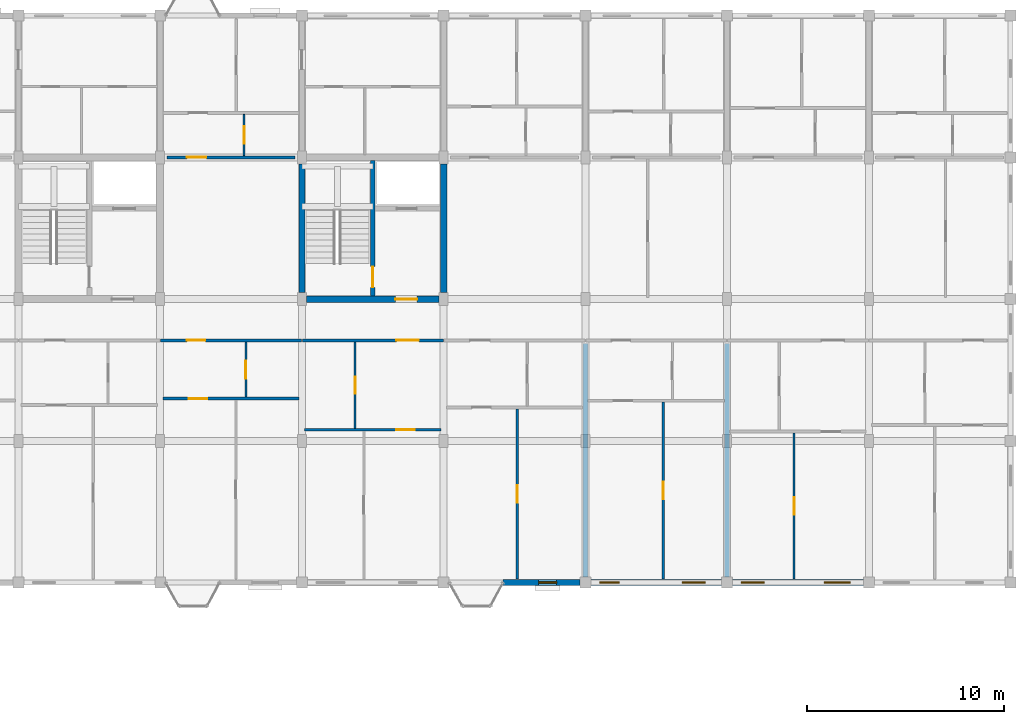
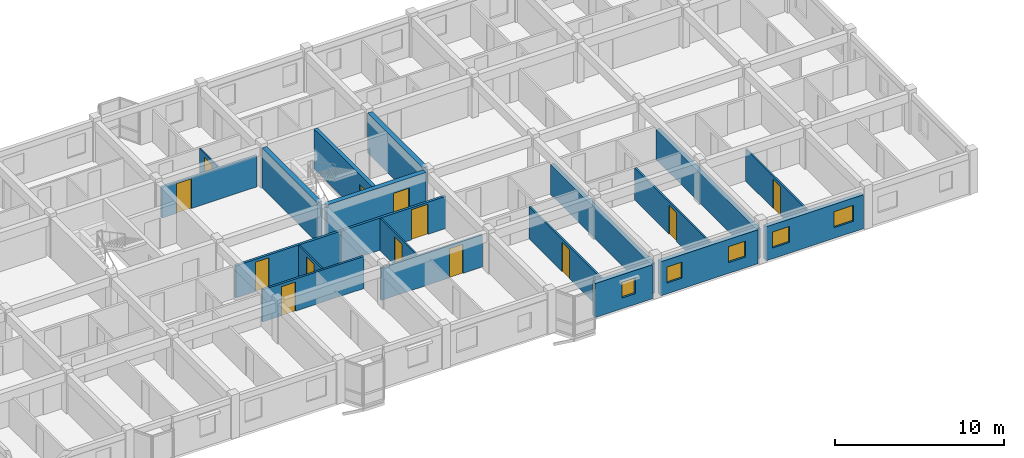
# One storey, part 67 of 77: 20 walls, 13 doors, 5 windows, 18 openings.
"""IFC4 building model written with IfcOpenShell, lengths in metres."""

from ifc_helpers import new_model, si_unit, direction, frame, frame_2d, origin, place, context, subcontext, project, spatial, rectangle, extrude, material, layer, layer_set, type_object, element, fill, save


model = new_model("IFC4")

# Units and contexts
model_context = context("Model", 3, precision=1e-05, world=origin(), true_north=direction((0.0, 1.0)))
body_context = subcontext(model_context, "Body", "Model", "MODEL_VIEW")
ifc_project = project(units=[si_unit("LENGTHUNIT", "METRE"), si_unit("AREAUNIT", "SQUARE_METRE"), si_unit("VOLUMEUNIT", "CUBIC_METRE"), si_unit("PLANEANGLEUNIT", "RADIAN"), si_unit("MASSUNIT", "GRAM", prefix="KILO"), si_unit("THERMODYNAMICTEMPERATUREUNIT", "KELVIN"), si_unit("POWERUNIT", "WATT")], contexts=[model_context])

# Site, building, storey
site_placement = place(None, origin())
site = spatial("IfcSite", under=ifc_project, at=site_placement, CompositionType="ELEMENT")
building_placement = place(site_placement, origin())
building = spatial("IfcBuilding", under=site, at=building_placement, Name="Tavuni Mirador Residences", CompositionType="ELEMENT")
storey_placement = place(building_placement, frame((0.0, 0.0, 10.800048828125)))
storey = spatial("IfcBuildingStorey", under=building, at=storey_placement, Name="L03", CompositionType="ELEMENT", Elevation=10.800048828125)

# Wall, opening, door
ifc_material_1 = material(Name="Precast concrete C40/50", Category="concrete")
ifc_layer_1 = layer(ifc_material_1, 0.25, Name="Precast concrete C40/50", Category="concrete")
ifc_layer_set_1 = layer_set([ifc_layer_1], Name="Precast concrete C40/50")
wall_type_1 = type_object("IfcWallType", Name="WT-COR250", PredefinedType="SHEAR", material=ifc_layer_set_1)
wall_1_placement = place(storey_placement, frame((43.199951171875, 158.56005859375, 0.0), z_axis=(0.0, 0.0, 1.0), x_axis=(0.0, 1.0, 0.0)))
wall_1 = element("IfcWall", 1, at=wall_1_placement, inside=storey, type_object=wall_type_1, Name="CWALL-C6-L03-MID", PredefinedType="SHEAR", context=body_context, shape_type="SweptSolid", body=[
    extrude(rectangle(XDim=6.8798828125, YDim=0.25, at=frame_2d((3.43994140625, 0.0))), origin(), (0.0, 0.0, 1.0), 2.885009765625),
])
opening_1_placement = place(wall_1_placement, frame((0.43994140625, 0.0, 0.0)))
opening_1 = element("IfcOpeningElement", 2, at=opening_1_placement, cuts=wall_1, Name="Opening D-01", PredefinedType="OPENING", context=body_context, shape_type="SweptSolid", body=[
    extrude(rectangle(XDim=1.050048828125, YDim=2.14990234375, at=frame_2d((0.52490234375, 1.074951171875))), frame((0.0, 0.135009765625, 0.0), z_axis=(0.0, -1.0, 0.0), x_axis=(1.0, 0.0, 0.0)), (0.0, 0.0, 1.0), 0.27001953125),
])
ifc_material_2 = material(Name="Solid core iroko timber", Category="wood")
door_type_1 = type_object("IfcDoorType", Name="DT-ST1050", OperationType="NOTDEFINED", PredefinedType="DOOR", material=ifc_material_2)
door_1_placement = place(opening_1_placement, origin())
door_1 = element("IfcDoor", 3, at=door_1_placement, inside=storey, type_object=door_type_1, Name="DR-2229", OperationType="SINGLE_SWING_LEFT", OverallHeight=2.14990234375, OverallWidth=1.050048828125, PredefinedType="DOOR", context=body_context, shape_type="SweptSolid", body=[
    extrude(rectangle(XDim=1.050048828125, YDim=2.14990234375, at=frame_2d((0.52490234375, 1.074951171875))), frame((0.0, 0.02490234375, 0.0), z_axis=(0.0, -1.0, 0.0), x_axis=(1.0, 0.0, 0.0)), (0.0, 0.0, 1.0), 0.050048828125),
])
fill(opening_1, door_1)

# Walls
ifc_layer_2 = layer(ifc_material_1, 0.320068359375, Name="Precast concrete C40/50", Category="concrete")
ifc_layer_set_2 = layer_set([ifc_layer_2], Name="Precast concrete C40/50")
wall_type_2 = type_object("IfcWallType", Name="WT-COR320", PredefinedType="SHEAR", material=ifc_layer_set_2)
for number, where, z_axis, x_axis, name in (
    (4, (39.60009765625, 158.72509765625, 0.0), (0.0, 0.0, 1.0), (0.0, 1.0, 0.0), "CWALL-C6-L03-W"),
    (5, (46.800048828125, 158.72509765625, 0.0), (0.0, 0.0, 1.0), (0.0, 1.0, 0.0), "CWALL-C6-L03-E"),
):
    element("IfcWall", number, at=place(storey_placement, frame(where, z_axis=z_axis, x_axis=x_axis)), inside=storey, type_object=wall_type_2, Name=name, PredefinedType="SHEAR", context=body_context, shape_type="SweptSolid", body=[
        extrude(rectangle(XDim=6.5498046875, YDim=0.320068359375, at=frame_2d((3.27490234375, 0.0))), origin(), (0.0, 0.0, 1.0), 2.885009765625),
    ])

# Wall, opening, door
wall_2_placement = place(storey_placement, frame((39.824951171875, 158.39990234375, 0.0), z_axis=(0.0, 0.0, 1.0), x_axis=(1.0, 0.0, 0.0)))
wall_2 = element("IfcWall", 6, at=wall_2_placement, inside=storey, type_object=wall_type_2, Name="CWALL-C6-L03-SS", PredefinedType="SHEAR", context=body_context, shape_type="SweptSolid", body=[
    extrude(rectangle(XDim=6.75, YDim=0.320068359375, at=frame_2d((3.375, 0.0))), origin(), (0.0, 0.0, 1.0), 2.885009765625),
])
opening_2_placement = place(wall_2_placement, frame((4.52490234375, 0.0, 0.0)))
opening_2 = element("IfcOpeningElement", 7, at=opening_2_placement, cuts=wall_2, Name="Opening D-02", PredefinedType="OPENING", context=body_context, shape_type="SweptSolid", body=[
    extrude(rectangle(XDim=1.10009765625, YDim=2.14990234375, at=frame_2d((0.550048828125, 1.074951171875))), frame((0.0, 0.169921875, 0.0), z_axis=(0.0, -1.0, 0.0), x_axis=(1.0, 0.0, 0.0)), (0.0, 0.0, 1.0), 0.340087890625),
])
door_type_2 = type_object("IfcDoorType", Name="DT-LOB1100", OperationType="NOTDEFINED", PredefinedType="DOOR", material=ifc_material_2)
door_2_placement = place(opening_2_placement, frame((1.10009765625, 0.0, 0.0), z_axis=(0.0, 0.0, 1.0), x_axis=(-1.0, 0.0, 0.0)))
door_2 = element("IfcDoor", 8, at=door_2_placement, inside=storey, type_object=door_type_2, Name="DR-2228", OperationType="SINGLE_SWING_RIGHT", OverallHeight=2.14990234375, OverallWidth=1.10009765625, PredefinedType="DOOR", context=body_context, shape_type="SweptSolid", body=[
    extrude(rectangle(XDim=1.10009765625, YDim=2.14990234375, at=frame_2d((0.550048828125, 1.074951171875))), frame((0.0, 0.02490234375, 0.0), z_axis=(0.0, -1.0, 0.0), x_axis=(1.0, 0.0, 0.0)), (0.0, 0.0, 1.0), 0.050048828125),
])
fill(opening_2, door_2)

ifc_layer_3 = layer(ifc_material_1, 0.1650390625, Name="Precast concrete C40/50", Category="concrete")
ifc_layer_set_3 = layer_set([ifc_layer_3], Name="Precast concrete C40/50")
wall_type_3 = type_object("IfcWallType", Name="WT-CORR165", PredefinedType="PARTITIONING", material=ifc_layer_set_3)
wall_3_placement = place(storey_placement, frame((32.419921875, 156.300048828125, 0.0), z_axis=(0.0, 0.0, 1.0), x_axis=(1.0, 0.0, 0.0)))
wall_3 = element("IfcWall", 9, at=wall_3_placement, inside=storey, type_object=wall_type_3, Name="CORW-BLK-C-L03-0-03", PredefinedType="PARTITIONING", context=body_context, shape_type="SweptSolid", body=[
    extrude(rectangle(XDim=7.16015625, YDim=0.1650390625, at=frame_2d((3.580078125, 0.0))), origin(), (0.0, 0.0, 1.0), 2.320068359375),
])
opening_3_placement = place(wall_3_placement, frame((1.330078125, 0.0, 0.0)))
opening_3 = element("IfcOpeningElement", 10, at=opening_3_placement, cuts=wall_3, Name="Opening D-19", PredefinedType="OPENING", context=body_context, shape_type="SweptSolid", body=[
    extrude(rectangle(XDim=0.93994140625, YDim=2.1201171875, at=frame_2d((0.469970703125, 1.06005859375))), frame((0.0, 0.092529296875, 0.0), z_axis=(0.0, -1.0, 0.0), x_axis=(1.0, 0.0, 0.0)), (0.0, 0.0, 1.0), 0.18505859375),
])
door_type_3 = type_object("IfcDoorType", Name="DT-FD60-940", OperationType="NOTDEFINED", PredefinedType="DOOR", material=ifc_material_2)
door_3_placement = place(opening_3_placement, origin())
door_3 = element("IfcDoor", 11, at=door_3_placement, inside=storey, type_object=door_type_3, Name="DR-2662", OperationType="SINGLE_SWING_LEFT", OverallHeight=2.1201171875, OverallWidth=0.93994140625, PredefinedType="DOOR", context=body_context, shape_type="SweptSolid", body=[
    extrude(rectangle(XDim=0.93994140625, YDim=2.1201171875, at=frame_2d((0.469970703125, 1.06005859375))), frame((0.0, 0.02490234375, 0.0), z_axis=(0.0, -1.0, 0.0), x_axis=(1.0, 0.0, 0.0)), (0.0, 0.0, 1.0), 0.050048828125),
])
fill(opening_3, door_3)

wall_4_placement = place(storey_placement, frame((39.6201171875, 156.300048828125, 0.0), z_axis=(0.0, 0.0, 1.0), x_axis=(1.0, 0.0, 0.0)))
wall_4 = element("IfcWall", 12, at=wall_4_placement, inside=storey, type_object=wall_type_3, Name="CORW-BLK-C-L03-0-04", PredefinedType="PARTITIONING", context=body_context, shape_type="SweptSolid", body=[
    extrude(rectangle(XDim=7.159912109375, YDim=0.1650390625, at=frame_2d((3.580078125, 0.0))), origin(), (0.0, 0.0, 1.0), 2.320068359375),
])
opening_4_placement = place(wall_4_placement, frame((4.780029296875, 0.0, 0.0)))
opening_4 = element("IfcOpeningElement", 13, at=opening_4_placement, cuts=wall_4, Name="Opening D-20", PredefinedType="OPENING", context=body_context, shape_type="SweptSolid", body=[
    extrude(rectangle(XDim=1.139892578125, YDim=2.179931640625, at=frame_2d((0.56982421875, 1.08984375))), frame((0.0, 0.092529296875, 0.0), z_axis=(0.0, -1.0, 0.0), x_axis=(1.0, 0.0, 0.0)), (0.0, 0.0, 1.0), 0.18505859375),
])
door_type_4 = type_object("IfcDoorType", Name="DT-FD60-1140", OperationType="NOTDEFINED", PredefinedType="DOOR", material=ifc_material_2)
door_4_placement = place(opening_4_placement, origin())
door_4 = element("IfcDoor", 14, at=door_4_placement, inside=storey, type_object=door_type_4, Name="DR-2663", OperationType="SINGLE_SWING_RIGHT", OverallHeight=2.179931640625, OverallWidth=1.139892578125, PredefinedType="DOOR", context=body_context, shape_type="SweptSolid", body=[
    extrude(rectangle(XDim=1.139892578125, YDim=2.179931640625, at=frame_2d((0.56982421875, 1.08984375))), frame((0.0, 0.02490234375, 0.0), z_axis=(0.0, -1.0, 0.0), x_axis=(1.0, 0.0, 0.0)), (0.0, 0.0, 1.0), 0.050048828125),
])
fill(opening_4, door_4)

wall_5_placement = place(storey_placement, frame((32.75, 165.60009765625, 0.0), z_axis=(0.0, 0.0, 1.0), x_axis=(1.0, 0.0, 0.0)))
wall_5 = element("IfcWall", 15, at=wall_5_placement, inside=storey, type_object=wall_type_3, Name="CORW-BLK-C-L03-1-03", PredefinedType="PARTITIONING", context=body_context, shape_type="SweptSolid", body=[
    extrude(rectangle(XDim=6.5, YDim=0.1650390625, at=frame_2d((3.25, 0.0))), origin(), (0.0, 0.0, 1.0), 2.23486328125),
])
opening_5_placement = place(wall_5_placement, frame((1.0, 0.0, 0.0)))
opening_5 = element("IfcOpeningElement", 16, at=opening_5_placement, cuts=wall_5, Name="Opening D-03", PredefinedType="OPENING", context=body_context, shape_type="SweptSolid", body=[
    extrude(rectangle(XDim=1.0, YDim=2.14990234375, at=frame_2d((0.5, 1.074951171875))), frame((0.0, 0.092529296875, 0.0), z_axis=(0.0, -1.0, 0.0), x_axis=(1.0, 0.0, 0.0)), (0.0, 0.0, 1.0), 0.18505859375),
])
door_type_5 = type_object("IfcDoorType", Name="DT-FD60-1000", OperationType="NOTDEFINED", PredefinedType="DOOR", material=ifc_material_2)
door_5_placement = place(opening_5_placement, origin())
door_5 = element("IfcDoor", 17, at=door_5_placement, inside=storey, type_object=door_type_5, Name="DR-2670", OperationType="SINGLE_SWING_LEFT", OverallHeight=2.14990234375, OverallWidth=1.0, PredefinedType="DOOR", context=body_context, shape_type="SweptSolid", body=[
    extrude(rectangle(XDim=1.0, YDim=2.14990234375, at=frame_2d((0.5, 1.074951171875))), frame((0.0, 0.02490234375, 0.0), z_axis=(0.0, -1.0, 0.0), x_axis=(1.0, 0.0, 0.0)), (0.0, 0.0, 1.0), 0.050048828125),
])
fill(opening_5, door_5)

# Wall, openings, windows
ifc_material_3 = material(Name="Sgraffito lime-rendered precast concrete C40/50", Category="concrete")
ifc_layer_4 = layer(ifc_material_3, 0.2900390625, Name="Sgraffito lime-rendered precast concrete C40/50", Category="concrete")
ifc_layer_set_4 = layer_set([ifc_layer_4], Name="Sgraffito lime-rendered precast concrete C40/50")
wall_type_4 = type_object("IfcWallType", Name="WT-EXT-PC290", PredefinedType="SOLIDWALL", material=ifc_layer_set_4)
wall_6_placement = place(storey_placement, frame((61.47509765625, 144.0, 0.0), z_axis=(0.0, 0.0, 1.0), x_axis=(1.0, 0.0, 0.0)))
wall_6 = element("IfcWall", 18, at=wall_6_placement, inside=storey, type_object=wall_type_4, Name="EW-BLK-C-L03-S07", PredefinedType="SOLIDWALL", context=body_context, shape_type="SweptSolid", body=[
    extrude(rectangle(XDim=6.64990234375, YDim=0.2900390625, at=frame_2d((3.324951171875, 0.0))), origin(), (0.0, 0.0, 1.0), 2.454833984375),
])
opening_6_placement = place(wall_6_placement, frame((0.449951171875, 0.0, 0.780029296875)))
opening_6 = element("IfcOpeningElement", 19, at=opening_6_placement, cuts=wall_6, Name="Opening WN-05", PredefinedType="OPENING", context=body_context, shape_type="SweptSolid", body=[
    extrude(rectangle(XDim=1.159912109375, YDim=1.14990234375, at=frame_2d((0.580078125, 0.574951171875))), frame((0.0, 0.155029296875, 0.0), z_axis=(0.0, -1.0, 0.0), x_axis=(1.0, 0.0, 0.0)), (0.0, 0.0, 1.0), 0.31005859375),
])
opening_7_placement = place(wall_6_placement, frame((4.64990234375, 0.0, 0.780029296875)))
opening_7 = element("IfcOpeningElement", 20, at=opening_7_placement, cuts=wall_6, Name="Opening WN-07", PredefinedType="OPENING", context=body_context, shape_type="SweptSolid", body=[
    extrude(rectangle(XDim=1.320068359375, YDim=1.14990234375, at=frame_2d((0.66015625, 0.574951171875))), frame((0.0, 0.155029296875, 0.0), z_axis=(0.0, -1.0, 0.0), x_axis=(1.0, 0.0, 0.0)), (0.0, 0.0, 1.0), 0.31005859375),
])
ifc_material_4 = material(Name="Laminated solar-control glass", Category="glass")
window_type_1 = type_object("IfcWindowType", Name="WNT-05", PartitioningType="SINGLE_PANEL", PredefinedType="WINDOW", material=ifc_material_4)
window_1_placement = place(opening_6_placement, origin())
window_1 = element("IfcWindow", 21, at=window_1_placement, inside=storey, type_object=window_type_1, Name="WIN-0961", OverallHeight=1.14990234375, OverallWidth=1.159912109375, PartitioningType="SINGLE_PANEL", PredefinedType="WINDOW", context=body_context, shape_type="SweptSolid", body=[
    extrude(rectangle(XDim=1.159912109375, YDim=1.14990234375, at=frame_2d((0.580078125, 0.574951171875))), frame((0.0, 0.030029296875, 0.0), z_axis=(0.0, -1.0, 0.0), x_axis=(1.0, 0.0, 0.0)), (0.0, 0.0, 1.0), 0.06005859375),
])
fill(opening_6, window_1)
window_type_2 = type_object("IfcWindowType", Name="WNT-07", PartitioningType="SINGLE_PANEL", PredefinedType="WINDOW", material=ifc_material_4)
window_2_placement = place(opening_7_placement, origin())
window_2 = element("IfcWindow", 22, at=window_2_placement, inside=storey, type_object=window_type_2, Name="WIN-0962", OverallHeight=1.14990234375, OverallWidth=1.320068359375, PartitioningType="SINGLE_PANEL", PredefinedType="WINDOW", context=body_context, shape_type="SweptSolid", body=[
    extrude(rectangle(XDim=1.320068359375, YDim=1.14990234375, at=frame_2d((0.66015625, 0.574951171875))), frame((0.0, 0.030029296875, 0.0), z_axis=(0.0, -1.0, 0.0), x_axis=(1.0, 0.0, 0.0)), (0.0, 0.0, 1.0), 0.06005859375),
])
fill(opening_7, window_2)

ifc_layer_5 = layer(ifc_material_3, 0.304931640625, Name="Sgraffito lime-rendered precast concrete C40/50", Category="concrete")
ifc_layer_set_5 = layer_set([ifc_layer_5], Name="Sgraffito lime-rendered precast concrete C40/50")
wall_type_5 = type_object("IfcWallType", Name="WT-EXT-PC305", PredefinedType="SOLIDWALL", material=ifc_layer_set_5)
wall_7_placement = place(storey_placement, frame((54.27490234375, 144.0, 0.0), z_axis=(0.0, 0.0, 1.0), x_axis=(1.0, 0.0, 0.0)))
wall_7 = element("IfcWall", 23, at=wall_7_placement, inside=storey, type_object=wall_type_5, Name="EW-BLK-C-L03-S06", PredefinedType="SOLIDWALL", context=body_context, shape_type="SweptSolid", body=[
    extrude(rectangle(XDim=6.650146484375, YDim=0.304931640625, at=frame_2d((3.3251953125, 0.0))), origin(), (0.0, 0.0, 1.0), 2.454833984375),
])
opening_8_placement = place(wall_7_placement, frame((0.449951171875, 0.0, 0.780029296875)))
opening_8 = element("IfcOpeningElement", 24, at=opening_8_placement, cuts=wall_7, Name="Opening WN-03", PredefinedType="OPENING", context=body_context, shape_type="SweptSolid", body=[
    extrude(rectangle(XDim=1.0, YDim=1.14990234375, at=frame_2d((0.5, 0.574951171875))), frame((0.0, 0.16259765625, 0.0), z_axis=(0.0, -1.0, 0.0), x_axis=(1.0, 0.0, 0.0)), (0.0, 0.0, 1.0), 0.324951171875),
])
opening_9_placement = place(wall_7_placement, frame((4.64990234375, 0.0, 0.780029296875)))
opening_9 = element("IfcOpeningElement", 25, at=opening_9_placement, cuts=wall_7, Name="Opening WN-05", PredefinedType="OPENING", context=body_context, shape_type="SweptSolid", body=[
    extrude(rectangle(XDim=1.159912109375, YDim=1.14990234375, at=frame_2d((0.580078125, 0.574951171875))), frame((0.0, 0.16259765625, 0.0), z_axis=(0.0, -1.0, 0.0), x_axis=(1.0, 0.0, 0.0)), (0.0, 0.0, 1.0), 0.324951171875),
])
window_type_3 = type_object("IfcWindowType", Name="WNT-03", PartitioningType="SINGLE_PANEL", PredefinedType="WINDOW", material=ifc_material_4)
window_3_placement = place(opening_8_placement, origin())
window_3 = element("IfcWindow", 26, at=window_3_placement, inside=storey, type_object=window_type_3, Name="WIN-0959", OverallHeight=1.14990234375, OverallWidth=1.0, PartitioningType="SINGLE_PANEL", PredefinedType="WINDOW", context=body_context, shape_type="SweptSolid", body=[
    extrude(rectangle(XDim=1.0, YDim=1.14990234375, at=frame_2d((0.5, 0.574951171875))), frame((0.0, 0.030029296875, 0.0), z_axis=(0.0, -1.0, 0.0), x_axis=(1.0, 0.0, 0.0)), (0.0, 0.0, 1.0), 0.06005859375),
])
fill(opening_8, window_3)
window_4_placement = place(opening_9_placement, origin())
window_4 = element("IfcWindow", 27, at=window_4_placement, inside=storey, type_object=window_type_1, Name="WIN-0960", OverallHeight=1.14990234375, OverallWidth=1.159912109375, PartitioningType="SINGLE_PANEL", PredefinedType="WINDOW", context=body_context, shape_type="SweptSolid", body=[
    extrude(rectangle(XDim=1.159912109375, YDim=1.14990234375, at=frame_2d((0.580078125, 0.574951171875))), frame((0.0, 0.030029296875, 0.0), z_axis=(0.0, -1.0, 0.0), x_axis=(1.0, 0.0, 0.0)), (0.0, 0.0, 1.0), 0.06005859375),
])
fill(opening_9, window_4)

# Wall, opening, window
ifc_layer_6 = layer(ifc_material_3, 0.31494140625, Name="Sgraffito lime-rendered precast concrete C40/50", Category="concrete")
ifc_layer_set_6 = layer_set([ifc_layer_6], Name="Sgraffito lime-rendered precast concrete C40/50")
wall_type_6 = type_object("IfcWallType", Name="WT-EXT-PC315", PredefinedType="SOLIDWALL", material=ifc_layer_set_6)
wall_8_placement = place(storey_placement, frame((49.820068359375, 144.0, 0.0), z_axis=(0.0, 0.0, 1.0), x_axis=(1.0, 0.0, 0.0)))
wall_8 = element("IfcWall", 28, at=wall_8_placement, inside=storey, type_object=wall_type_6, Name="EW-BLK-C-L03-S05", PredefinedType="SOLIDWALL", context=body_context, shape_type="SweptSolid", body=[
    extrude(rectangle(XDim=3.905029296875, YDim=0.31494140625, at=frame_2d((1.95263671875, 0.0))), origin(), (0.0, 0.0, 1.0), 2.454833984375),
])
opening_10_placement = place(wall_8_placement, frame((1.802490234375, 0.0, 0.780029296875)))
opening_10 = element("IfcOpeningElement", 29, at=opening_10_placement, cuts=wall_8, Name="Opening WN-02", PredefinedType="OPENING", context=body_context, shape_type="SweptSolid", body=[
    extrude(rectangle(XDim=0.919921875, YDim=1.14990234375, at=frame_2d((0.4599609375, 0.574951171875))), frame((0.0, 0.16748046875, 0.0), z_axis=(0.0, -1.0, 0.0), x_axis=(1.0, 0.0, 0.0)), (0.0, 0.0, 1.0), 0.3349609375),
])
window_type_4 = type_object("IfcWindowType", Name="WNT-02", PartitioningType="SINGLE_PANEL", PredefinedType="WINDOW", material=ifc_material_4)
window_5_placement = place(opening_10_placement, origin())
window_5 = element("IfcWindow", 30, at=window_5_placement, inside=storey, type_object=window_type_4, Name="WIN-0958", OverallHeight=1.14990234375, OverallWidth=0.919921875, PartitioningType="SINGLE_PANEL", PredefinedType="WINDOW", context=body_context, shape_type="SweptSolid", body=[
    extrude(rectangle(XDim=0.919921875, YDim=1.14990234375, at=frame_2d((0.4599609375, 0.574951171875))), frame((0.0, 0.030029296875, 0.0), z_axis=(0.0, -1.0, 0.0), x_axis=(1.0, 0.0, 0.0)), (0.0, 0.0, 1.0), 0.06005859375),
])
fill(opening_10, window_5)

# Wall, opening, door
ifc_material_5 = material(Name="Acoustic gypsum and concrete block partition", Category="concrete")
ifc_layer_7 = layer(ifc_material_5, 0.094970703125, Name="Acoustic gypsum and concrete block partition", Category="concrete")
ifc_layer_set_7 = layer_set([ifc_layer_7], Name="Acoustic gypsum and concrete block partition")
wall_type_7 = type_object("IfcWallType", Name="WT-PART095", PredefinedType="PARTITIONING", material=ifc_layer_set_7)
wall_9_placement = place(storey_placement, frame((36.659912109375, 165.68994140625, 0.0), z_axis=(0.0, 0.0, 1.0), x_axis=(0.0, 1.0, 0.0)))
wall_9 = element("IfcWall", 31, at=wall_9_placement, inside=storey, type_object=wall_type_7, Name="PW-BLK-C-L03-N03-IN1", PredefinedType="PARTITIONING", context=body_context, shape_type="SweptSolid", body=[
    extrude(rectangle(XDim=2.10009765625, YDim=0.094970703125, at=frame_2d((1.050048828125, 0.0))), origin(), (0.0, 0.0, 1.0), 2.320068359375),
])
opening_11_placement = place(wall_9_placement, frame((0.60009765625, 0.0, 0.0)))
opening_11 = element("IfcOpeningElement", 32, at=opening_11_placement, cuts=wall_9, Name="Opening D-09", PredefinedType="OPENING", context=body_context, shape_type="SweptSolid", body=[
    extrude(rectangle(XDim=0.89990234375, YDim=2.050048828125, at=frame_2d((0.449951171875, 1.02490234375))), frame((0.0, 0.0576171875, 0.0), z_axis=(0.0, -1.0, 0.0), x_axis=(1.0, 0.0, 0.0)), (0.0, 0.0, 1.0), 0.114990234375),
])
door_type_6 = type_object("IfcDoorType", Name="DT-WC900", OperationType="NOTDEFINED", PredefinedType="DOOR", material=ifc_material_2)
door_6_placement = place(opening_11_placement, origin())
door_6 = element("IfcDoor", 33, at=door_6_placement, inside=storey, type_object=door_type_6, Name="DR-3817", OperationType="SINGLE_SWING_LEFT", OverallHeight=2.050048828125, OverallWidth=0.89990234375, PredefinedType="DOOR", context=body_context, shape_type="SweptSolid", body=[
    extrude(rectangle(XDim=0.89990234375, YDim=2.050048828125, at=frame_2d((0.449951171875, 1.02490234375))), frame((0.0, 0.02490234375, 0.0), z_axis=(0.0, -1.0, 0.0), x_axis=(1.0, 0.0, 0.0)), (0.0, 0.0, 1.0), 0.050048828125),
])
fill(opening_11, door_6)

ifc_layer_8 = layer(ifc_material_5, 0.10498046875, Name="Acoustic gypsum and concrete block partition", Category="concrete")
ifc_layer_set_8 = layer_set([ifc_layer_8], Name="Acoustic gypsum and concrete block partition")
wall_type_8 = type_object("IfcWallType", Name="WT-PART105", PredefinedType="PARTITIONING", material=ifc_layer_set_8)
wall_10_placement = place(storey_placement, frame((36.75, 153.419921875, 0.0), z_axis=(0.0, 0.0, 1.0), x_axis=(0.0, 1.0, 0.0)))
wall_10 = element("IfcWall", 34, at=wall_10_placement, inside=storey, type_object=wall_type_8, Name="PW-BLK-C-L03-S03-IN1", PredefinedType="PARTITIONING", context=body_context, shape_type="SweptSolid", body=[
    extrude(rectangle(XDim=2.7900390625, YDim=0.10498046875, at=frame_2d((1.39501953125, 0.0))), origin(), (0.0, 0.0, 1.0), 2.320068359375),
])
opening_12_placement = place(wall_10_placement, frame((0.945068359375, 0.0, 0.0)))
opening_12 = element("IfcOpeningElement", 35, at=opening_12_placement, cuts=wall_10, Name="Opening D-09", PredefinedType="OPENING", context=body_context, shape_type="SweptSolid", body=[
    extrude(rectangle(XDim=0.89990234375, YDim=2.050048828125, at=frame_2d((0.449951171875, 1.02490234375))), frame((0.0, 0.0625, 0.0), z_axis=(0.0, -1.0, 0.0), x_axis=(1.0, 0.0, 0.0)), (0.0, 0.0, 1.0), 0.125),
])
door_7_placement = place(opening_12_placement, origin())
door_7 = element("IfcDoor", 36, at=door_7_placement, inside=storey, type_object=door_type_6, Name="DR-3814", OperationType="SINGLE_SWING_LEFT", OverallHeight=2.050048828125, OverallWidth=0.89990234375, PredefinedType="DOOR", context=body_context, shape_type="SweptSolid", body=[
    extrude(rectangle(XDim=0.89990234375, YDim=2.050048828125, at=frame_2d((0.449951171875, 1.02490234375))), frame((0.0, 0.02490234375, 0.0), z_axis=(0.0, -1.0, 0.0), x_axis=(1.0, 0.0, 0.0)), (0.0, 0.0, 1.0), 0.050048828125),
])
fill(opening_12, door_7)

wall_11_placement = place(storey_placement, frame((42.300048828125, 151.840087890625, 0.0), z_axis=(0.0, 0.0, 1.0), x_axis=(0.0, 1.0, 0.0)))
wall_11 = element("IfcWall", 37, at=wall_11_placement, inside=storey, type_object=wall_type_8, Name="PW-BLK-C-L03-S04-IN1", PredefinedType="PARTITIONING", context=body_context, shape_type="SweptSolid", body=[
    extrude(rectangle(XDim=4.369873046875, YDim=0.10498046875, at=frame_2d((2.18505859375, 0.0))), origin(), (0.0, 0.0, 1.0), 2.320068359375),
])
opening_13_placement = place(wall_11_placement, frame((1.75, 0.0, 0.0)))
opening_13 = element("IfcOpeningElement", 38, at=opening_13_placement, cuts=wall_11, Name="Opening D-10", PredefinedType="OPENING", context=body_context, shape_type="SweptSolid", body=[
    extrude(rectangle(XDim=0.8701171875, YDim=2.050048828125, at=frame_2d((0.43505859375, 1.02490234375))), frame((0.0, 0.0625, 0.0), z_axis=(0.0, -1.0, 0.0), x_axis=(1.0, 0.0, 0.0)), (0.0, 0.0, 1.0), 0.125),
])
door_type_7 = type_object("IfcDoorType", Name="DT-WC870", OperationType="NOTDEFINED", PredefinedType="DOOR", material=ifc_material_2)
door_8_placement = place(opening_13_placement, origin())
door_8 = element("IfcDoor", 39, at=door_8_placement, inside=storey, type_object=door_type_7, Name="DR-3820", OperationType="SINGLE_SWING_RIGHT", OverallHeight=2.050048828125, OverallWidth=0.8701171875, PredefinedType="DOOR", context=body_context, shape_type="SweptSolid", body=[
    extrude(rectangle(XDim=0.8701171875, YDim=2.050048828125, at=frame_2d((0.43505859375, 1.02490234375))), frame((0.0, 0.02490234375, 0.0), z_axis=(0.0, -1.0, 0.0), x_axis=(1.0, 0.0, 0.0)), (0.0, 0.0, 1.0), 0.050048828125),
])
fill(opening_13, door_8)

ifc_layer_9 = layer(ifc_material_5, 0.114990234375, Name="Acoustic gypsum and concrete block partition", Category="concrete")
ifc_layer_set_9 = layer_set([ifc_layer_9], Name="Acoustic gypsum and concrete block partition")
wall_type_9 = type_object("IfcWallType", Name="WT-PART115", PredefinedType="PARTITIONING", material=ifc_layer_set_9)
wall_12_placement = place(storey_placement, frame((57.949951171875, 144.175048828125, 0.0), z_axis=(0.0, 0.0, 1.0), x_axis=(0.0, 1.0, 0.0)))
wall_12 = element("IfcWall", 40, at=wall_12_placement, inside=storey, type_object=wall_type_9, Name="PW-BLK-C-L03-S06-OUT", PredefinedType="PARTITIONING", context=body_context, shape_type="SweptSolid", body=[
    extrude(rectangle(XDim=8.994873046875, YDim=0.114990234375, at=frame_2d((4.49755859375, 0.0))), origin(), (0.0, 0.0, 1.0), 2.320068359375),
])
opening_14_placement = place(wall_12_placement, frame((4.0576171875, 0.0, 0.0)))
opening_14 = element("IfcOpeningElement", 41, at=opening_14_placement, cuts=wall_12, Name="Opening D-08", PredefinedType="OPENING", context=body_context, shape_type="SweptSolid", body=[
    extrude(rectangle(XDim=0.8798828125, YDim=2.080078125, at=frame_2d((0.43994140625, 1.0400390625))), frame((0.0, 0.0673828125, 0.0), z_axis=(0.0, -1.0, 0.0), x_axis=(1.0, 0.0, 0.0)), (0.0, 0.0, 1.0), 0.135009765625),
])
door_type_8 = type_object("IfcDoorType", Name="DT-BED880", OperationType="NOTDEFINED", PredefinedType="DOOR", material=ifc_material_2)
door_9_placement = place(opening_14_placement, origin())
door_9 = element("IfcDoor", 42, at=door_9_placement, inside=storey, type_object=door_type_8, Name="DR-3831", OperationType="SINGLE_SWING_LEFT", OverallHeight=2.080078125, OverallWidth=0.8798828125, PredefinedType="DOOR", context=body_context, shape_type="SweptSolid", body=[
    extrude(rectangle(XDim=0.8798828125, YDim=2.080078125, at=frame_2d((0.43994140625, 1.0400390625))), frame((0.0, 0.02490234375, 0.0), z_axis=(0.0, -1.0, 0.0), x_axis=(1.0, 0.0, 0.0)), (0.0, 0.0, 1.0), 0.050048828125),
])
fill(opening_14, door_9)

wall_13_placement = place(storey_placement, frame((64.60009765625, 144.175048828125, 0.0), z_axis=(0.0, 0.0, 1.0), x_axis=(0.0, 1.0, 0.0)))
wall_13 = element("IfcWall", 43, at=wall_13_placement, inside=storey, type_object=wall_type_9, Name="PW-BLK-C-L03-S07-OUT", PredefinedType="PARTITIONING", context=body_context, shape_type="SweptSolid", body=[
    extrude(rectangle(XDim=7.425048828125, YDim=0.114990234375, at=frame_2d((3.71240234375, 0.0))), origin(), (0.0, 0.0, 1.0), 2.320068359375),
])
opening_15_placement = place(wall_13_placement, frame((3.262451171875, 0.0, 0.0)))
opening_15 = element("IfcOpeningElement", 44, at=opening_15_placement, cuts=wall_13, Name="Opening D-07", PredefinedType="OPENING", context=body_context, shape_type="SweptSolid", body=[
    extrude(rectangle(XDim=0.89990234375, YDim=2.10009765625, at=frame_2d((0.449951171875, 1.050048828125))), frame((0.0, 0.0673828125, 0.0), z_axis=(0.0, -1.0, 0.0), x_axis=(1.0, 0.0, 0.0)), (0.0, 0.0, 1.0), 0.135009765625),
])
door_type_9 = type_object("IfcDoorType", Name="DT-BED900", OperationType="NOTDEFINED", PredefinedType="DOOR", material=ifc_material_2)
door_10_placement = place(opening_15_placement, origin())
door_10 = element("IfcDoor", 45, at=door_10_placement, inside=storey, type_object=door_type_9, Name="DR-3837", OperationType="SINGLE_SWING_RIGHT", OverallHeight=2.10009765625, OverallWidth=0.89990234375, PredefinedType="DOOR", context=body_context, shape_type="SweptSolid", body=[
    extrude(rectangle(XDim=0.89990234375, YDim=2.10009765625, at=frame_2d((0.449951171875, 1.050048828125))), frame((0.0, 0.02490234375, 0.0), z_axis=(0.0, -1.0, 0.0), x_axis=(1.0, 0.0, 0.0)), (0.0, 0.0, 1.0), 0.050048828125),
])
fill(opening_15, door_10)

ifc_layer_10 = layer(ifc_material_5, 0.125, Name="Acoustic gypsum and concrete block partition", Category="concrete")
ifc_layer_set_10 = layer_set([ifc_layer_10], Name="Acoustic gypsum and concrete block partition")
wall_type_10 = type_object("IfcWallType", Name="WT-PART125", PredefinedType="PARTITIONING", material=ifc_layer_set_10)
wall_14_placement = place(storey_placement, frame((50.550048828125, 144.175048828125, 0.0), z_axis=(0.0, 0.0, 1.0), x_axis=(0.0, 1.0, 0.0)))
wall_14 = element("IfcWall", 46, at=wall_14_placement, inside=storey, type_object=wall_type_10, Name="PW-BLK-C-L03-S05-OUT", PredefinedType="PARTITIONING", context=body_context, shape_type="SweptSolid", body=[
    extrude(rectangle(XDim=8.655029296875, YDim=0.125, at=frame_2d((4.32763671875, 0.0))), origin(), (0.0, 0.0, 1.0), 2.320068359375),
])
opening_16_placement = place(wall_14_placement, frame((3.87744140625, 0.0, 0.0)))
opening_16 = element("IfcOpeningElement", 47, at=opening_16_placement, cuts=wall_14, Name="Opening D-07", PredefinedType="OPENING", context=body_context, shape_type="SweptSolid", body=[
    extrude(rectangle(XDim=0.89990234375, YDim=2.10009765625, at=frame_2d((0.449951171875, 1.050048828125))), frame((0.0, 0.072509765625, 0.0), z_axis=(0.0, -1.0, 0.0), x_axis=(1.0, 0.0, 0.0)), (0.0, 0.0, 1.0), 0.14501953125),
])
door_11_placement = place(opening_16_placement, origin())
door_11 = element("IfcDoor", 48, at=door_11_placement, inside=storey, type_object=door_type_9, Name="DR-3824", OperationType="SINGLE_SWING_RIGHT", OverallHeight=2.10009765625, OverallWidth=0.89990234375, PredefinedType="DOOR", context=body_context, shape_type="SweptSolid", body=[
    extrude(rectangle(XDim=0.89990234375, YDim=2.10009765625, at=frame_2d((0.449951171875, 1.050048828125))), frame((0.0, 0.02490234375, 0.0), z_axis=(0.0, -1.0, 0.0), x_axis=(1.0, 0.0, 0.0)), (0.0, 0.0, 1.0), 0.050048828125),
])
fill(opening_16, door_11)

ifc_layer_11 = layer(ifc_material_5, 0.139892578125, Name="Acoustic gypsum and concrete block partition", Category="concrete")
ifc_layer_set_11 = layer_set([ifc_layer_11], Name="Acoustic gypsum and concrete block partition")
wall_type_11 = type_object("IfcWallType", Name="WT-PART140", PredefinedType="PARTITIONING", material=ifc_layer_set_11)
wall_15_placement = place(storey_placement, frame((32.5400390625, 153.35009765625, 0.0), z_axis=(0.0, 0.0, 1.0), x_axis=(1.0, 0.0, 0.0)))
wall_15 = element("IfcWall", 49, at=wall_15_placement, inside=storey, type_object=wall_type_11, Name="PW-BLK-C-L03-S03-MID", PredefinedType="PARTITIONING", context=body_context, shape_type="SweptSolid", body=[
    extrude(rectangle(XDim=6.919921875, YDim=0.139892578125, at=frame_2d((3.4599609375, 0.0))), origin(), (0.0, 0.0, 1.0), 2.320068359375),
])
opening_17_placement = place(wall_15_placement, frame((1.31005859375, 0.0, 0.0)))
opening_17 = element("IfcOpeningElement", 50, at=opening_17_placement, cuts=wall_15, Name="Opening D-05", PredefinedType="OPENING", context=body_context, shape_type="SweptSolid", body=[
    extrude(rectangle(XDim=0.949951171875, YDim=2.10009765625, at=frame_2d((0.47509765625, 1.050048828125))), frame((0.0, 0.080078125, 0.0), z_axis=(0.0, -1.0, 0.0), x_axis=(1.0, 0.0, 0.0)), (0.0, 0.0, 1.0), 0.159912109375),
])
door_type_10 = type_object("IfcDoorType", Name="DT-INT950", OperationType="NOTDEFINED", PredefinedType="DOOR", material=ifc_material_2)
door_12_placement = place(opening_17_placement, origin())
door_12 = element("IfcDoor", 51, at=door_12_placement, inside=storey, type_object=door_type_10, Name="DR-3815", OperationType="SINGLE_SWING_LEFT", OverallHeight=2.10009765625, OverallWidth=0.949951171875, PredefinedType="DOOR", context=body_context, shape_type="SweptSolid", body=[
    extrude(rectangle(XDim=0.949951171875, YDim=2.10009765625, at=frame_2d((0.47509765625, 1.050048828125))), frame((0.0, 0.02490234375, 0.0), z_axis=(0.0, -1.0, 0.0), x_axis=(1.0, 0.0, 0.0)), (0.0, 0.0, 1.0), 0.050048828125),
])
fill(opening_17, door_12)

wall_16_placement = place(storey_placement, frame((39.739990234375, 151.77001953125, 0.0), z_axis=(0.0, 0.0, 1.0), x_axis=(1.0, 0.0, 0.0)))
wall_16 = element("IfcWall", 52, at=wall_16_placement, inside=storey, type_object=wall_type_11, Name="PW-BLK-C-L03-S04-MID", PredefinedType="PARTITIONING", context=body_context, shape_type="SweptSolid", body=[
    extrude(rectangle(XDim=6.919921875, YDim=0.139892578125, at=frame_2d((3.4599609375, 0.0))), origin(), (0.0, 0.0, 1.0), 2.320068359375),
])
opening_18_placement = place(wall_16_placement, frame((4.659912109375, 0.0, 0.0)))
opening_18 = element("IfcOpeningElement", 53, at=opening_18_placement, cuts=wall_16, Name="Opening D-06", PredefinedType="OPENING", context=body_context, shape_type="SweptSolid", body=[
    extrude(rectangle(XDim=0.919921875, YDim=2.10009765625, at=frame_2d((0.4599609375, 1.050048828125))), frame((0.0, 0.080078125, 0.0), z_axis=(0.0, -1.0, 0.0), x_axis=(1.0, 0.0, 0.0)), (0.0, 0.0, 1.0), 0.159912109375),
])
door_type_11 = type_object("IfcDoorType", Name="DT-INT920", OperationType="NOTDEFINED", PredefinedType="DOOR", material=ifc_material_2)
door_13_placement = place(opening_18_placement, origin())
door_13 = element("IfcDoor", 54, at=door_13_placement, inside=storey, type_object=door_type_11, Name="DR-3821", OperationType="SINGLE_SWING_RIGHT", OverallHeight=2.10009765625, OverallWidth=0.919921875, PredefinedType="DOOR", context=body_context, shape_type="SweptSolid", body=[
    extrude(rectangle(XDim=0.919921875, YDim=2.10009765625, at=frame_2d((0.4599609375, 1.050048828125))), frame((0.0, 0.02490234375, 0.0), z_axis=(0.0, -1.0, 0.0), x_axis=(1.0, 0.0, 0.0)), (0.0, 0.0, 1.0), 0.050048828125),
])
fill(opening_18, door_13)

# Walls
ifc_layer_12 = layer(ifc_material_1, 0.264892578125, Name="Precast concrete C40/50", Category="concrete")
ifc_layer_set_12 = layer_set([ifc_layer_12], Name="Precast concrete C40/50")
wall_type_12 = type_object("IfcWallType", Name="WT-XW265", PredefinedType="SOLIDWALL", material=ifc_layer_set_12)
for number, where, z_axis, x_axis, name in (
    (55, (54.0, 144.27490234375, 0.0), (0.0, 0.0, 1.0), (0.0, 1.0, 0.0), "XW-BLK-C-L03-S-06"),
    (56, (61.199951171875, 144.27490234375, 0.0), (0.0, 0.0, 1.0), (0.0, 1.0, 0.0), "XW-BLK-C-L03-S-07"),
):
    element("IfcWall", number, at=place(storey_placement, frame(where, z_axis=z_axis, x_axis=x_axis)), inside=storey, type_object=wall_type_12, Name=name, PredefinedType="SOLIDWALL", context=body_context, shape_type="SweptSolid", body=[
        extrude(rectangle(XDim=11.875, YDim=0.264892578125, at=frame_2d((5.9375, 0.0))), origin(), (0.0, 0.0, 1.0), 2.18505859375),
    ])

save(model, "model.ifc")
